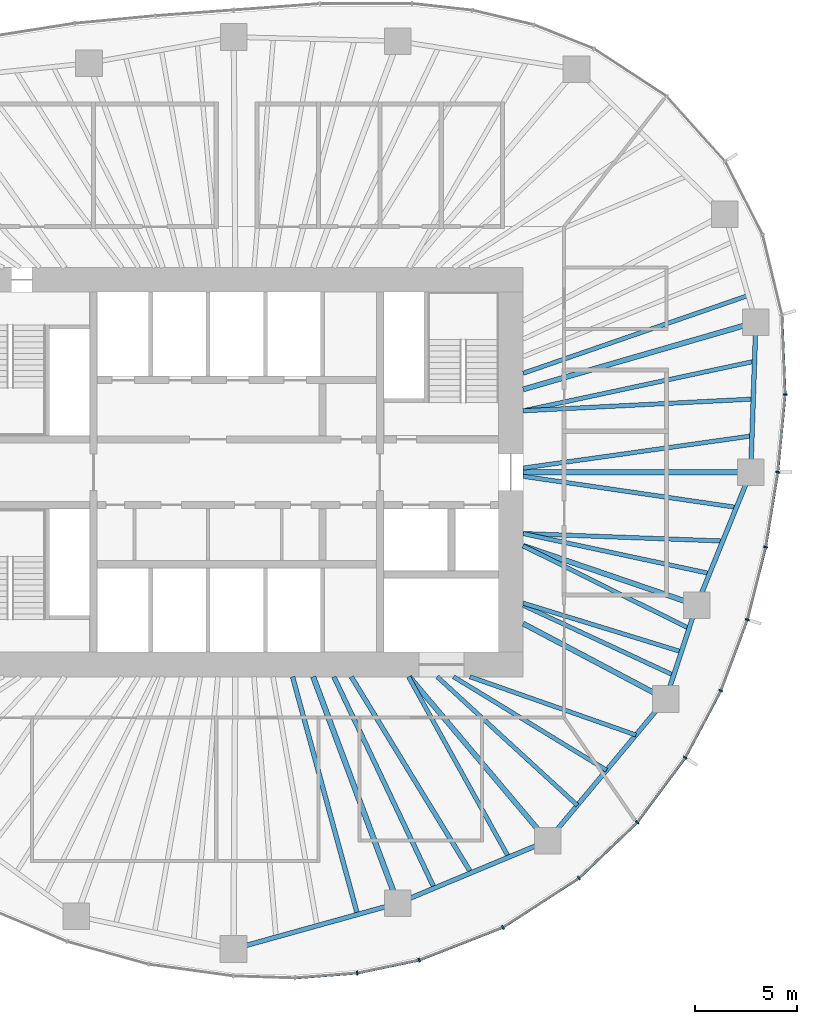
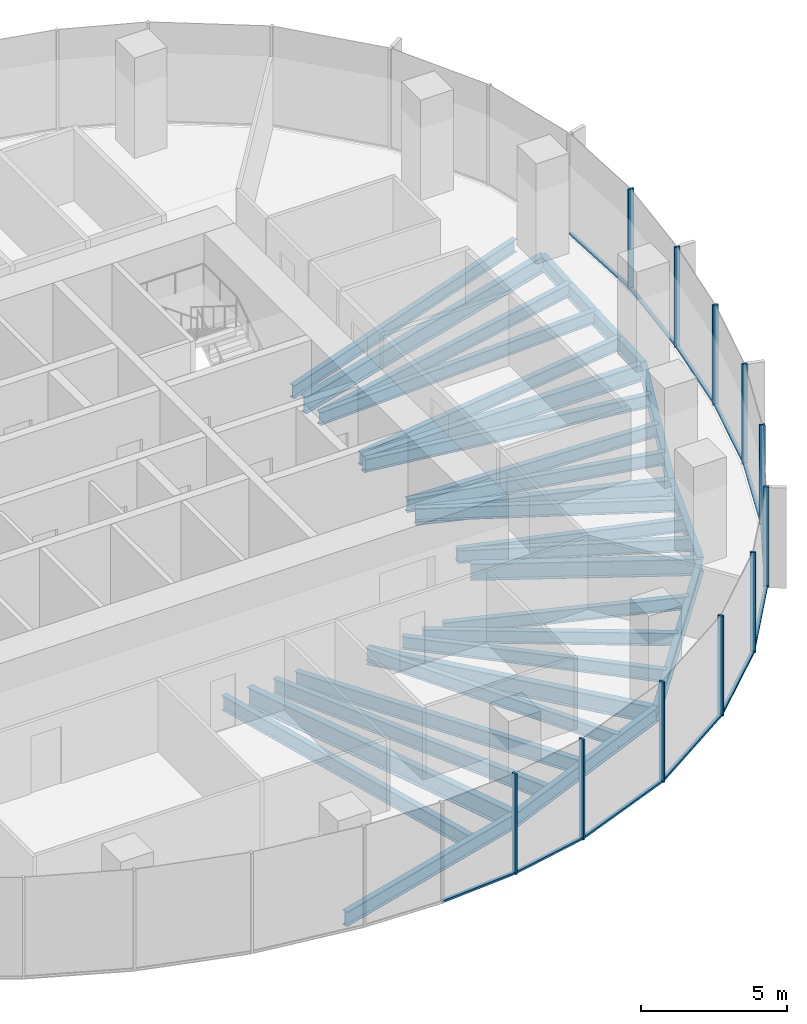
# One storey, part 4 of 11: 29 beams, 23 members, 6 elements without a shape of their own.
"""IFC4 building model written with IfcOpenShell, lengths in metres."""

from ifc_helpers import new_model, si_unit, direction, frame, origin, origin_2d, place, context, subcontext, project, spatial, rectangle, i_section, extrude, material, material_profile, profile_set, type_object, element, aggregate, save


model = new_model("IFC4")

# Units and contexts
model_context = context("Model", 3, precision=1e-05, world=origin(), true_north=direction((0.0, 1.0)))
body_context = subcontext(model_context, "Body", "Model", "MODEL_VIEW")
ifc_project = project(units=[si_unit("LENGTHUNIT", "METRE"), si_unit("AREAUNIT", "SQUARE_METRE"), si_unit("VOLUMEUNIT", "CUBIC_METRE"), si_unit("PLANEANGLEUNIT", "RADIAN"), si_unit("MASSUNIT", "GRAM", prefix="KILO")], contexts=[model_context])

# Site, building, storey
site_placement = place(None, origin())
site = spatial("IfcSite", under=ifc_project, at=site_placement, CompositionType="ELEMENT")
building_placement = place(site_placement, origin())
building = spatial("IfcBuilding", under=site, at=building_placement, Name="Ghaith Harvest Tower", CompositionType="ELEMENT")
storey_placement = place(building_placement, frame((0.0, 0.0, 215.800048828125)))
storey = spatial("IfcBuildingStorey", under=building, at=storey_placement, Name="L47", CompositionType="ELEMENT", Elevation=215.800048828125)

# Curtain wall, members
ifc_material_1 = material(Name="Black anodised aluminium and fritted glass", Category="aluminium")
curtain_wall_type = type_object("IfcCurtainWallType", Name="CW-H CURTAIN WALL", PredefinedType="NOTDEFINED", material=ifc_material_1)
curtain_wall_1_placement = place(storey_placement, origin())
curtain_wall_1 = element("IfcCurtainWall", 1, at=curtain_wall_1_placement, inside=storey, type_object=curtain_wall_type, Name="Curtain wall CW-H bay 01 L47", PredefinedType="NOTDEFINED")
ifc_material_2 = material(Name="Aluminium, black anodised", Category="aluminium")
ifc_material_profile_1 = material_profile(ifc_material_2, rectangle(XDim=0.080078125, YDim=0.199951171875, at=origin_2d()), Name="CW-H MULLION 80x200")
ifc_profile_set_1 = profile_set([ifc_material_profile_1], Name="Aluminium, black anodised")
member_type_1 = type_object("IfcMemberType", Name="CW-H MULLION 80x200", PredefinedType="MULLION", material=ifc_profile_set_1)
member_1_placement = place(storey_placement, frame((26.445068359375, 0.0, 0.0), z_axis=(0.0, 0.0, 1.0), x_axis=(0.126567624553, 0.991957981174, 0.0)))
member_1 = element("IfcMember", 2, at=member_1_placement, type_object=member_type_1, Name="CW-H mullion 1 bay 01 L47", PredefinedType="MULLION", context=body_context, shape_type="SweptSolid", body=[
    extrude(rectangle(XDim=0.080078125, YDim=0.199951171875, at=origin_2d()), origin(), (0.0, 0.0, 1.0), 4.199951171875),
])
member_2_placement = place(storey_placement, frame((26.804443359375, 3.7958984375, 0.0), z_axis=(0.0, 0.0, 1.0), x_axis=(0.026142797814, 0.999658218654, 0.0)))
member_2 = element("IfcMember", 3, at=member_2_placement, type_object=member_type_1, Name="CW-H mullion 2 bay 01 L47", PredefinedType="MULLION", context=body_context, shape_type="SweptSolid", body=[
    extrude(rectangle(XDim=0.080078125, YDim=0.199951171875, at=origin_2d()), origin(), (0.0, 0.0, 1.0), 4.199951171875),
])

# Curtain wall, member
curtain_wall_2_placement = place(storey_placement, origin())
curtain_wall_2 = element("IfcCurtainWall", 4, at=curtain_wall_2_placement, inside=storey, type_object=curtain_wall_type, Name="Curtain wall CW-H bay 16 L47", PredefinedType="NOTDEFINED")
member_3_placement = place(storey_placement, frame((5.893310546875, -24.48291015625, 0.0), z_axis=(0.0, 0.0, 1.0), x_axis=(0.989849191496, 0.142121701704, 0.0)))
member_3 = element("IfcMember", 5, at=member_3_placement, type_object=member_type_1, Name="CW-H mullion 3 bay 16 L47", PredefinedType="MULLION", context=body_context, shape_type="SweptSolid", body=[
    extrude(rectangle(XDim=0.080078125, YDim=0.199951171875, at=origin_2d()), origin(), (0.0, 0.0, 1.0), 4.199951171875),
])

# Curtain wall, members
curtain_wall_3_placement = place(storey_placement, origin())
curtain_wall_3 = element("IfcCurtainWall", 6, at=curtain_wall_3_placement, inside=storey, type_object=curtain_wall_type, Name="Curtain wall CW-H bay 17 L47", PredefinedType="NOTDEFINED")
member_4_placement = place(storey_placement, frame((8.916015625, -23.85009765625, 0.0), z_axis=(0.0, 0.0, 1.0), x_axis=(0.954029934434, 0.299711334793, 0.0)))
member_4 = element("IfcMember", 7, at=member_4_placement, type_object=member_type_1, Name="CW-H mullion 1 bay 17 L47", PredefinedType="MULLION", context=body_context, shape_type="SweptSolid", body=[
    extrude(rectangle(XDim=0.080078125, YDim=0.199951171875, at=origin_2d()), origin(), (0.0, 0.0, 1.0), 4.199951171875),
])
member_5_placement = place(storey_placement, frame((13.010009765625, -22.2470703125, 0.0), z_axis=(0.0, 0.0, 1.0), x_axis=(0.889568363425, 0.456802065225, 0.0)))
member_5 = element("IfcMember", 8, at=member_5_placement, type_object=member_type_1, Name="CW-H mullion 2 bay 17 L47", PredefinedType="MULLION", context=body_context, shape_type="SweptSolid", body=[
    extrude(rectangle(XDim=0.080078125, YDim=0.199951171875, at=origin_2d()), origin(), (0.0, 0.0, 1.0), 4.199951171875),
])

curtain_wall_4_placement = place(storey_placement, origin())
curtain_wall_4 = element("IfcCurtainWall", 9, at=curtain_wall_4_placement, inside=storey, type_object=curtain_wall_type, Name="Curtain wall CW-H bay 18 L47", PredefinedType="NOTDEFINED")
member_6_placement = place(storey_placement, frame((16.72900390625, -19.838134765625, 0.0), z_axis=(0.0, 0.0, 1.0), x_axis=(0.78784554071, 0.615872879727, 0.0)))
member_6 = element("IfcMember", 10, at=member_6_placement, type_object=member_type_1, Name="CW-H mullion 1 bay 18 L47", PredefinedType="MULLION", context=body_context, shape_type="SweptSolid", body=[
    extrude(rectangle(XDim=0.080078125, YDim=0.199951171875, at=origin_2d()), origin(), (0.0, 0.0, 1.0), 4.199951171875),
])
member_7_placement = place(storey_placement, frame((19.57421875, -17.11572265625, 0.0), z_axis=(0.0, 0.0, 1.0), x_axis=(0.661614965695, 0.749843741835, 0.0)))
member_7 = element("IfcMember", 11, at=member_7_placement, type_object=member_type_1, Name="CW-H mullion 2 bay 18 L47", PredefinedType="MULLION", context=body_context, shape_type="SweptSolid", body=[
    extrude(rectangle(XDim=0.080078125, YDim=0.199951171875, at=origin_2d()), origin(), (0.0, 0.0, 1.0), 4.199951171875),
])

curtain_wall_5_placement = place(storey_placement, origin())
curtain_wall_5 = element("IfcCurtainWall", 12, at=curtain_wall_5_placement, inside=storey, type_object=curtain_wall_type, Name="Curtain wall CW-H bay 19 L47", PredefinedType="NOTDEFINED")
member_8_placement = place(storey_placement, frame((21.922607421875, -13.951904296875, 0.0), z_axis=(0.0, 0.0, 1.0), x_axis=(0.535827198032, 0.844327669717, 0.0)))
member_8 = element("IfcMember", 13, at=member_8_placement, type_object=member_type_1, Name="CW-H mullion 1 bay 19 L47", PredefinedType="MULLION", context=body_context, shape_type="SweptSolid", body=[
    extrude(rectangle(XDim=0.080078125, YDim=0.199951171875, at=origin_2d()), origin(), (0.0, 0.0, 1.0), 4.199951171875),
])
member_9_placement = place(storey_placement, frame((23.658203125, -10.680419921875, 0.0), z_axis=(0.0, 0.0, 1.0), x_axis=(0.410429862351, 0.911892169114, 0.0)))
member_9 = element("IfcMember", 14, at=member_9_placement, type_object=member_type_1, Name="CW-H mullion 2 bay 19 L47", PredefinedType="MULLION", context=body_context, shape_type="SweptSolid", body=[
    extrude(rectangle(XDim=0.080078125, YDim=0.199951171875, at=origin_2d()), origin(), (0.0, 0.0, 1.0), 4.199951171875),
])

curtain_wall_6_placement = place(storey_placement, origin())
curtain_wall_6 = element("IfcCurtainWall", 15, at=curtain_wall_6_placement, inside=storey, type_object=curtain_wall_type, Name="Curtain wall CW-H bay 20 L47", PredefinedType="NOTDEFINED")
member_10_placement = place(storey_placement, frame((24.955810546875, -7.212890625, 0.0), z_axis=(0.0, 0.0, 1.0), x_axis=(0.298441625478, 0.954427889462, 0.0)))
member_10 = element("IfcMember", 16, at=member_10_placement, type_object=member_type_1, Name="CW-H mullion 1 bay 20 L47", PredefinedType="MULLION", context=body_context, shape_type="SweptSolid", body=[
    extrude(rectangle(XDim=0.080078125, YDim=0.199951171875, at=origin_2d()), origin(), (0.0, 0.0, 1.0), 4.199951171875),
])
member_11_placement = place(storey_placement, frame((25.85302734375, -3.6611328125, 0.0), z_axis=(0.0, 0.0, 1.0), x_axis=(0.202192370647, 0.979345825157, 0.0)))
member_11 = element("IfcMember", 17, at=member_11_placement, type_object=member_type_1, Name="CW-H mullion 2 bay 20 L47", PredefinedType="MULLION", context=body_context, shape_type="SweptSolid", body=[
    extrude(rectangle(XDim=0.080078125, YDim=0.199951171875, at=origin_2d()), origin(), (0.0, 0.0, 1.0), 4.199951171875),
])

# Member
ifc_material_3 = material(Name="Aluminium, black anodised", Category="aluminium")
ifc_material_profile_2 = material_profile(ifc_material_3, rectangle(XDim=0.1298828125, YDim=0.080078125, at=origin_2d()), Name="CW-H TRANSOM 130x80")
ifc_profile_set_2 = profile_set([ifc_material_profile_2], Name="Aluminium, black anodised")
member_type_2 = type_object("IfcMemberType", Name="CW-H TRANSOM 130x80", PredefinedType="USERDEFINED", material=ifc_profile_set_2)
member_12_placement = place(storey_placement, frame((26.44873046875, 0.039794921875, 0.0400390625), z_axis=(0.094309089207, 0.995542965267, 0.0), x_axis=(-0.995542965267, 0.094309089207, 0.0)))
member_12 = element("IfcMember", 18, at=member_12_placement, type_object=member_type_2, Name="CW-H transom 1 bay 01 L47", ObjectType="TRANSOM", PredefinedType="USERDEFINED", context=body_context, shape_type="SweptSolid", body=[
    extrude(rectangle(XDim=0.1298828125, YDim=0.080078125, at=origin_2d()), origin(), (0.0, 0.0, 1.0), 3.73291015625),
])

member_13_placement = place(storey_placement, frame((26.802978515625, 3.8359375, 0.0400390625), z_axis=(-0.040492641284, 0.999179836667, 0.0), x_axis=(-0.999179836667, -0.040492641284, 0.0)))
member_13 = element("IfcMember", 19, at=member_13_placement, type_object=member_type_2, Name="CW-H transom 2 bay 01 L47", ObjectType="TRANSOM", PredefinedType="USERDEFINED", context=body_context, shape_type="SweptSolid", body=[
    extrude(rectangle(XDim=0.1298828125, YDim=0.080078125, at=origin_2d()), origin(), (0.0, 0.0, 1.0), 3.82861328125),
])

aggregate(curtain_wall_1, [member_1, member_12, member_2, member_13])

member_14_placement = place(storey_placement, frame((2.8876953125, -24.71826171875, 0.0400390625), z_axis=(0.996949781933, 0.078045706505, 0.0), x_axis=(-0.078045706505, 0.996949781933, 0.0)))
member_14 = element("IfcMember", 20, at=member_14_placement, type_object=member_type_2, Name="CW-H transom 2 bay 16 L47", ObjectType="TRANSOM", PredefinedType="USERDEFINED", context=body_context, shape_type="SweptSolid", body=[
    extrude(rectangle(XDim=0.1298828125, YDim=0.080078125, at=origin_2d()), origin(), (0.0, 0.0, 1.0), 2.974853515625),
])

member_15_placement = place(storey_placement, frame((5.932373046875, -24.474609375, 0.0400390625), z_axis=(0.978797058213, 0.204832416461, 0.0), x_axis=(-0.204832416461, 0.978797058213, 0.0)))
member_15 = element("IfcMember", 21, at=member_15_placement, type_object=member_type_2, Name="CW-H transom 3 bay 16 L47", ObjectType="TRANSOM", PredefinedType="USERDEFINED", context=body_context, shape_type="SweptSolid", body=[
    extrude(rectangle(XDim=0.1298828125, YDim=0.080078125, at=origin_2d()), origin(), (0.0, 0.0, 1.0), 3.00830078125),
])

aggregate(curtain_wall_2, [member_14, member_3, member_15])

member_16_placement = place(storey_placement, frame((8.953369140625, -23.835693359375, 0.0400390625), z_axis=(0.931147615871, 0.364642451529, 0.0), x_axis=(-0.364642451529, 0.931147615871, 0.0)))
member_16 = element("IfcMember", 22, at=member_16_placement, type_object=member_type_2, Name="CW-H transom 1 bay 17 L47", ObjectType="TRANSOM", PredefinedType="USERDEFINED", context=body_context, shape_type="SweptSolid", body=[
    extrude(rectangle(XDim=0.1298828125, YDim=0.080078125, at=origin_2d()), origin(), (0.0, 0.0, 1.0), 4.31640625),
])

member_17_placement = place(storey_placement, frame((13.04345703125, -22.225341796875, 0.0400390625), z_axis=(0.839306610985, 0.543658360331, 0.0), x_axis=(-0.543658360331, 0.839306610985, 0.0)))
member_17 = element("IfcMember", 23, at=member_17_placement, type_object=member_type_2, Name="CW-H transom 2 bay 17 L47", ObjectType="TRANSOM", PredefinedType="USERDEFINED", context=body_context, shape_type="SweptSolid", body=[
    extrude(rectangle(XDim=0.1298828125, YDim=0.080078125, at=origin_2d()), origin(), (0.0, 0.0, 1.0), 4.35107421875),
])

aggregate(curtain_wall_3, [member_4, member_16, member_5, member_17])

member_18_placement = place(storey_placement, frame((16.7578125, -19.810546875, 0.0400390625), z_axis=(0.722533278657, 0.691336141998, 0.0), x_axis=(-0.691336141998, 0.722533278657, 0.0)))
member_18 = element("IfcMember", 24, at=member_18_placement, type_object=member_type_2, Name="CW-H transom 1 bay 18 L47", ObjectType="TRANSOM", PredefinedType="USERDEFINED", context=body_context, shape_type="SweptSolid", body=[
    extrude(rectangle(XDim=0.1298828125, YDim=0.080078125, at=origin_2d()), origin(), (0.0, 0.0, 1.0), 3.858154296875),
])

member_19_placement = place(storey_placement, frame((19.59814453125, -17.083740234375, 0.0400390625), z_axis=(0.595995597074, 0.802987701194, 0.0), x_axis=(-0.802987701194, 0.595995597074, 0.0)))
member_19 = element("IfcMember", 25, at=member_19_placement, type_object=member_type_2, Name="CW-H transom 2 bay 18 L47", ObjectType="TRANSOM", PredefinedType="USERDEFINED", context=body_context, shape_type="SweptSolid", body=[
    extrude(rectangle(XDim=0.1298828125, YDim=0.080078125, at=origin_2d()), origin(), (0.0, 0.0, 1.0), 3.8603515625),
])

aggregate(curtain_wall_4, [member_6, member_18, member_7, member_19])

member_20_placement = place(storey_placement, frame((21.94140625, -13.91650390625, 0.0400390625), z_axis=(0.468646057757, 0.883386026915, 0.0), x_axis=(-0.883386026915, 0.468646057757, 0.0)))
member_20 = element("IfcMember", 26, at=member_20_placement, type_object=member_type_2, Name="CW-H transom 1 bay 19 L47", ObjectType="TRANSOM", PredefinedType="USERDEFINED", context=body_context, shape_type="SweptSolid", body=[
    extrude(rectangle(XDim=0.1298828125, YDim=0.080078125, at=origin_2d()), origin(), (0.0, 0.0, 1.0), 3.623291015625),
])

member_21_placement = place(storey_placement, frame((23.672119140625, -10.64306640625, 0.0400390625), z_axis=(0.350510368091, 0.936558851253, 0.0), x_axis=(-0.936558851253, 0.350510368091, 0.0)))
member_21 = element("IfcMember", 27, at=member_21_placement, type_object=member_type_2, Name="CW-H transom 2 bay 19 L47", ObjectType="TRANSOM", PredefinedType="USERDEFINED", context=body_context, shape_type="SweptSolid", body=[
    extrude(rectangle(XDim=0.1298828125, YDim=0.080078125, at=origin_2d()), origin(), (0.0, 0.0, 1.0), 3.62255859375),
])

aggregate(curtain_wall_5, [member_8, member_20, member_9, member_21])

member_22_placement = place(storey_placement, frame((24.965576171875, -7.174072265625, 0.0400390625), z_axis=(0.244939588347, 0.969538342749, 0.0), x_axis=(-0.969538342749, 0.244939588347, 0.0)))
member_22 = element("IfcMember", 28, at=member_22_placement, type_object=member_type_2, Name="CW-H transom 1 bay 20 L47", ObjectType="TRANSOM", PredefinedType="USERDEFINED", context=body_context, shape_type="SweptSolid", body=[
    extrude(rectangle(XDim=0.1298828125, YDim=0.080078125, at=origin_2d()), origin(), (0.0, 0.0, 1.0), 3.583251953125),
])

member_23_placement = place(storey_placement, frame((25.859375, -3.62158203125, 0.0400390625), z_axis=(0.159661845696, 0.987171765717, 0.0), x_axis=(-0.987171765717, 0.159661845696, 0.0)))
member_23 = element("IfcMember", 29, at=member_23_placement, type_object=member_type_2, Name="CW-H transom 2 bay 20 L47", ObjectType="TRANSOM", PredefinedType="USERDEFINED", context=body_context, shape_type="SweptSolid", body=[
    extrude(rectangle(XDim=0.1298828125, YDim=0.080078125, at=origin_2d()), origin(), (0.0, 0.0, 1.0), 3.628662109375),
])

aggregate(curtain_wall_6, [member_10, member_22, member_11, member_23])

# Beams
ifc_material_4 = material(Name="Steel ASTM A992 Grade 50", Category="steel")
ifc_material_profile_3 = material_profile(ifc_material_4, i_section(OverallWidth=0.22900390625, OverallDepth=0.612060546875, WebThickness=0.011962890625, FlangeThickness=0.01953125, at=origin_2d()), Name="W610X125")
ifc_profile_set_3 = profile_set([ifc_material_profile_3], Name="Steel ASTM A992 Grade 50")
beam_type_1 = type_object("IfcBeamType", Name="E610-125 W610X125", PredefinedType="SPANDREL", material=ifc_profile_set_3)
beam_1_placement = place(storey_placement, frame((25.125, 0.0, -0.47607421875), z_axis=(0.03446227584, 0.999405999354, 0.0), x_axis=(-0.999405999354, 0.03446227584, 0.0)))
element("IfcBeam", 30, at=beam_1_placement, inside=storey, type_object=beam_type_1, Name="Edge beam E01 L47", PredefinedType="SPANDREL", context=body_context, shape_type="SweptSolid", body=[
    extrude(i_section(OverallWidth=0.22900390625, OverallDepth=0.612060546875, WebThickness=0.011962890625, FlangeThickness=0.01953125, at=origin_2d()), origin(), (0.0, 0.0, 1.0), 7.33935546875),
])
beam_2_placement = place(storey_placement, frame((-0.158935546875, -23.304931640625, -0.47607421875), z_axis=(0.963504070594, 0.267693679323, 0.0), x_axis=(-0.267693679323, 0.963504070594, 0.0)))
element("IfcBeam", 31, at=beam_2_placement, inside=storey, type_object=beam_type_1, Name="Edge beam E16 L47", PredefinedType="SPANDREL", context=body_context, shape_type="SweptSolid", body=[
    extrude(i_section(OverallWidth=0.22900390625, OverallDepth=0.612060546875, WebThickness=0.011962890625, FlangeThickness=0.01953125, at=origin_2d()), origin(), (0.0, 0.0, 1.0), 8.34130859375),
])
beam_3_placement = place(storey_placement, frame((7.8779296875, -21.072021484375, -0.47607421875), z_axis=(0.923119729219, 0.384512633766, 0.0), x_axis=(-0.384512633766, 0.923119729219, 0.0)))
element("IfcBeam", 32, at=beam_3_placement, inside=storey, type_object=beam_type_1, Name="Edge beam E17 L47", PredefinedType="SPANDREL", context=body_context, shape_type="SweptSolid", body=[
    extrude(i_section(OverallWidth=0.22900390625, OverallDepth=0.612060546875, WebThickness=0.011962890625, FlangeThickness=0.01953125, at=origin_2d()), origin(), (0.0, 0.0, 1.0), 7.9296875),
])
beam_4_placement = place(storey_placement, frame((15.197998046875, -18.02294921875, -0.47607421875), z_axis=(0.640173759088, 0.76823014662, 0.0), x_axis=(-0.76823014662, 0.640173759088, 0.0)))
element("IfcBeam", 33, at=beam_4_placement, inside=storey, type_object=beam_type_1, Name="Edge beam E18 L47", PredefinedType="SPANDREL", context=body_context, shape_type="SweptSolid", body=[
    extrude(i_section(OverallWidth=0.22900390625, OverallDepth=0.612060546875, WebThickness=0.011962890625, FlangeThickness=0.01953125, at=origin_2d()), origin(), (0.0, 0.0, 1.0), 9.02734375),
])
beam_5_placement = place(storey_placement, frame((20.97705078125, -11.087890625, -0.47607421875), z_axis=(0.312206727278, 0.950014189074, 0.0), x_axis=(-0.950014189074, 0.312206727278, 0.0)))
element("IfcBeam", 34, at=beam_5_placement, inside=storey, type_object=beam_type_1, Name="Edge beam E19 L47", PredefinedType="SPANDREL", context=body_context, shape_type="SweptSolid", body=[
    extrude(i_section(OverallWidth=0.22900390625, OverallDepth=0.612060546875, WebThickness=0.011962890625, FlangeThickness=0.01953125, at=origin_2d()), origin(), (0.0, 0.0, 1.0), 4.830322265625),
])
beam_6_placement = place(storey_placement, frame((22.485107421875, -6.4990234375, -0.47607421875), z_axis=(0.376335970246, 0.926483263475, 0.0), x_axis=(-0.926483263475, 0.376335970246, 0.0)))
element("IfcBeam", 35, at=beam_6_placement, inside=storey, type_object=beam_type_1, Name="Edge beam E20 L47", PredefinedType="SPANDREL", context=body_context, shape_type="SweptSolid", body=[
    extrude(i_section(OverallWidth=0.22900390625, OverallDepth=0.612060546875, WebThickness=0.011962890625, FlangeThickness=0.01953125, at=origin_2d()), origin(), (0.0, 0.0, 1.0), 7.0146484375),
])
ifc_material_5 = material(Name="Steel ASTM A992 Grade 50", Category="steel")
ifc_material_profile_4 = material_profile(ifc_material_5, i_section(OverallWidth=0.256103515625, OverallDepth=0.693115234375, WebThickness=0.014404296875, FlangeThickness=0.023681640625, at=origin_2d()), Name="W690X170")
ifc_profile_set_4 = profile_set([ifc_material_profile_4], Name="Steel ASTM A992 Grade 50")
beam_type_2 = type_object("IfcBeamType", Name="G690-170 W690X170", PredefinedType="BEAM", material=ifc_profile_set_4)
beam_7_placement = place(storey_placement, frame((14.0, 0.0, -0.5166015625), z_axis=(1.0, 0.0, 0.0), x_axis=(0.0, 1.0, 0.0)))
element("IfcBeam", 36, at=beam_7_placement, inside=storey, type_object=beam_type_2, Name="Radial girder G01 L47", PredefinedType="BEAM", context=body_context, shape_type="SweptSolid", body=[
    extrude(i_section(OverallWidth=0.256103515625, OverallDepth=0.693115234375, WebThickness=0.014404296875, FlangeThickness=0.023681640625, at=origin_2d()), origin(), (0.0, 0.0, 1.0), 11.125),
])
beam_8_placement = place(storey_placement, frame((14.0, 4.04638671875, -0.5166015625), z_axis=(0.960677776578, 0.277665643518, 0.0), x_axis=(-0.277665643518, 0.960677776578, 0.0)))
element("IfcBeam", 37, at=beam_8_placement, inside=storey, type_object=beam_type_2, Name="Radial girder G02 L47", PredefinedType="BEAM", context=body_context, shape_type="SweptSolid", body=[
    extrude(i_section(OverallWidth=0.256103515625, OverallDepth=0.693115234375, WebThickness=0.014404296875, FlangeThickness=0.023681640625, at=origin_2d()), origin(), (0.0, 0.0, 1.0), 11.84375),
])
beam_9_placement = place(storey_placement, frame((8.4326171875, -10.0, -0.5166015625), z_axis=(0.644649240595, -0.764478486682, 0.0), x_axis=(0.764478486682, 0.644649240595, 0.0)))
element("IfcBeam", 38, at=beam_9_placement, inside=storey, type_object=beam_type_2, Name="Radial girder G18 L47", PredefinedType="BEAM", context=body_context, shape_type="SweptSolid", body=[
    extrude(i_section(OverallWidth=0.256103515625, OverallDepth=0.693115234375, WebThickness=0.014404296875, FlangeThickness=0.023681640625, at=origin_2d()), origin(), (0.0, 0.0, 1.0), 10.49462890625),
])
beam_10_placement = place(storey_placement, frame((14.0, -7.39990234375, -0.5166015625), z_axis=(0.884088732293, -0.467319070264, 0.0), x_axis=(0.467319070264, 0.884088732293, 0.0)))
element("IfcBeam", 39, at=beam_10_placement, inside=storey, type_object=beam_type_2, Name="Radial girder G19 L47", PredefinedType="BEAM", context=body_context, shape_type="SweptSolid", body=[
    extrude(i_section(OverallWidth=0.256103515625, OverallDepth=0.693115234375, WebThickness=0.014404296875, FlangeThickness=0.023681640625, at=origin_2d()), origin(), (0.0, 0.0, 1.0), 7.891845703125),
])
beam_11_placement = place(storey_placement, frame((14.0, -3.60009765625, -0.5166015625), z_axis=(0.94629622913, -0.323300861018, 0.0), x_axis=(0.323300861018, 0.94629622913, 0.0)))
element("IfcBeam", 40, at=beam_11_placement, inside=storey, type_object=beam_type_2, Name="Radial girder G20 L47", PredefinedType="BEAM", context=body_context, shape_type="SweptSolid", body=[
    extrude(i_section(OverallWidth=0.256103515625, OverallDepth=0.693115234375, WebThickness=0.014404296875, FlangeThickness=0.023681640625, at=origin_2d()), origin(), (0.0, 0.0, 1.0), 8.966552734375),
])
ifc_material_6 = material(Name="Steel ASTM A992 Grade 50", Category="steel")
ifc_material_profile_5 = material_profile(ifc_material_6, i_section(OverallWidth=0.26806640625, OverallDepth=0.77001953125, WebThickness=0.015625, FlangeThickness=0.025390625, at=origin_2d()), Name="W760X196")
ifc_profile_set_5 = profile_set([ifc_material_profile_5], Name="Steel ASTM A992 Grade 50")
beam_type_3 = type_object("IfcBeamType", Name="G760-196 W760X196", PredefinedType="BEAM", material=ifc_profile_set_5)
beam_12_placement = place(storey_placement, frame((3.73828125, -10.0, -0.554931640625), z_axis=(0.350206582147, -0.936672488024, 0.0), x_axis=(0.936672488024, 0.350206582147, 0.0)))
element("IfcBeam", 41, at=beam_12_placement, inside=storey, type_object=beam_type_3, Name="Radial girder G17 L47", PredefinedType="BEAM", context=body_context, shape_type="SweptSolid", body=[
    extrude(i_section(OverallWidth=0.26806640625, OverallDepth=0.77001953125, WebThickness=0.015625, FlangeThickness=0.025390625, at=origin_2d()), origin(), (0.0, 0.0, 1.0), 11.820556640625),
])
ifc_material_7 = material(Name="Steel ASTM A992 Grade 50", Category="steel")
ifc_material_profile_6 = material_profile(ifc_material_7, i_section(OverallWidth=0.2109375, OverallDepth=0.5390625, WebThickness=0.01171875, FlangeThickness=0.018798828125, at=origin_2d()), Name="W530X109")
ifc_profile_set_6 = profile_set([ifc_material_profile_6], Name="Steel ASTM A992 Grade 50")
beam_type_4 = type_object("IfcBeamType", Name="J530-109 W530X109", PredefinedType="JOIST", material=ifc_profile_set_6)
beam_13_placement = place(storey_placement, frame((14.0, 0.199951171875, -0.439453125), z_axis=(0.990239574724, 0.139375696052, 0.0), x_axis=(-0.139375696052, 0.990239574724, 0.0)))
element("IfcBeam", 42, at=beam_13_placement, inside=storey, type_object=beam_type_4, Name="Joist J01.1 L47", PredefinedType="JOIST", context=body_context, shape_type="SweptSolid", body=[
    extrude(i_section(OverallWidth=0.2109375, OverallDepth=0.5390625, WebThickness=0.01171875, FlangeThickness=0.018798828125, at=origin_2d()), origin(), (0.0, 0.0, 1.0), 11.296630859375),
])
beam_14_placement = place(storey_placement, frame((14.0, 3.0, -0.439453125), z_axis=(0.998693995267, 0.051091132482, 0.0), x_axis=(-0.051091132482, 0.998693995267, 0.0)))
element("IfcBeam", 43, at=beam_14_placement, inside=storey, type_object=beam_type_4, Name="Joist J01.2 L47", PredefinedType="JOIST", context=body_context, shape_type="SweptSolid", body=[
    extrude(i_section(OverallWidth=0.2109375, OverallDepth=0.5390625, WebThickness=0.01171875, FlangeThickness=0.018798828125, at=origin_2d()), origin(), (0.0, 0.0, 1.0), 11.262939453125),
])
beam_15_placement = place(storey_placement, frame((14.0, 3.0, -0.439453125), z_axis=(0.977840076912, 0.209353251672, 0.0), x_axis=(-0.209353251672, 0.977840076912, 0.0)))
element("IfcBeam", 44, at=beam_15_placement, inside=storey, type_object=beam_type_4, Name="Joist J01.3 L47", PredefinedType="JOIST", context=body_context, shape_type="SweptSolid", body=[
    extrude(i_section(OverallWidth=0.2109375, OverallDepth=0.5390625, WebThickness=0.01171875, FlangeThickness=0.018798828125, at=origin_2d()), origin(), (0.0, 0.0, 1.0), 11.568359375),
])
beam_16_placement = place(storey_placement, frame((14.0, 4.835693359375, -0.439453125), z_axis=(0.945202328042, 0.326485159025, 0.0), x_axis=(-0.326485159025, 0.945202328042, 0.0)))
element("IfcBeam", 45, at=beam_16_placement, inside=storey, type_object=beam_type_4, Name="Joist J02.1 L47", PredefinedType="JOIST", context=body_context, shape_type="SweptSolid", body=[
    extrude(i_section(OverallWidth=0.2109375, OverallDepth=0.5390625, WebThickness=0.01171875, FlangeThickness=0.018798828125, at=origin_2d()), origin(), (0.0, 0.0, 1.0), 11.63916015625),
])
beam_17_placement = place(storey_placement, frame((8.39990234375, -10.0, -0.439453125), z_axis=(0.484919107871, -0.874559008199, 0.0), x_axis=(0.874559008199, 0.484919107871, 0.0)))
element("IfcBeam", 46, at=beam_17_placement, inside=storey, type_object=beam_type_4, Name="Joist J17.3 L47", PredefinedType="JOIST", context=body_context, shape_type="SweptSolid", body=[
    extrude(i_section(OverallWidth=0.2109375, OverallDepth=0.5390625, WebThickness=0.01171875, FlangeThickness=0.018798828125, at=origin_2d()), origin(), (0.0, 0.0, 1.0), 10.0830078125),
])
beam_18_placement = place(storey_placement, frame((9.800048828125, -10.0, -0.439453125), z_axis=(0.736998187228, -0.675894719629, 0.0), x_axis=(0.675894719629, 0.736998187228, 0.0)))
element("IfcBeam", 47, at=beam_18_placement, inside=storey, type_object=beam_type_4, Name="Joist J18.1 L47", PredefinedType="JOIST", context=body_context, shape_type="SweptSolid", body=[
    extrude(i_section(OverallWidth=0.2109375, OverallDepth=0.5390625, WebThickness=0.01171875, FlangeThickness=0.018798828125, at=origin_2d()), origin(), (0.0, 0.0, 1.0), 9.293701171875),
])
beam_19_placement = place(storey_placement, frame((14.0, -3.0, -0.439453125), z_axis=(0.977841497168, -0.209346617877, 0.0), x_axis=(0.209346617877, 0.977841497168, 0.0)))
element("IfcBeam", 48, at=beam_19_placement, inside=storey, type_object=beam_type_4, Name="Joist J20.1 L47", PredefinedType="JOIST", context=body_context, shape_type="SweptSolid", body=[
    extrude(i_section(OverallWidth=0.2109375, OverallDepth=0.5390625, WebThickness=0.01171875, FlangeThickness=0.018798828125, at=origin_2d()), origin(), (0.0, 0.0, 1.0), 9.3203125),
])
beam_20_placement = place(storey_placement, frame((14.0, -3.0, -0.439453125), z_axis=(0.999303105315, -0.037326983644, 0.0), x_axis=(0.037326983644, 0.999303105315, 0.0)))
element("IfcBeam", 49, at=beam_20_placement, inside=storey, type_object=beam_type_4, Name="Joist J20.2 L47", PredefinedType="JOIST", context=body_context, shape_type="SweptSolid", body=[
    extrude(i_section(OverallWidth=0.2109375, OverallDepth=0.5390625, WebThickness=0.01171875, FlangeThickness=0.018798828125, at=origin_2d()), origin(), (0.0, 0.0, 1.0), 9.76513671875),
])
beam_21_placement = place(storey_placement, frame((14.0, -0.199951171875, -0.439453125), z_axis=(0.989525259022, -0.144359834294, 0.0), x_axis=(0.144359834294, 0.989525259022, 0.0)))
element("IfcBeam", 50, at=beam_21_placement, inside=storey, type_object=beam_type_4, Name="Joist J20.3 L47", PredefinedType="JOIST", context=body_context, shape_type="SweptSolid", body=[
    extrude(i_section(OverallWidth=0.2109375, OverallDepth=0.5390625, WebThickness=0.01171875, FlangeThickness=0.018798828125, at=origin_2d()), origin(), (0.0, 0.0, 1.0), 10.5361328125),
])
ifc_material_8 = material(Name="Steel ASTM A992 Grade 50", Category="steel")
ifc_material_profile_7 = material_profile(ifc_material_8, i_section(OverallWidth=0.208984375, OverallDepth=0.532958984375, WebThickness=0.01025390625, FlangeThickness=0.015625, at=origin_2d()), Name="W530X92")
ifc_profile_set_7 = profile_set([ifc_material_profile_7], Name="Steel ASTM A992 Grade 50")
beam_type_5 = type_object("IfcBeamType", Name="J530-92 W530X92", PredefinedType="JOIST", material=ifc_profile_set_7)
beam_22_placement = place(storey_placement, frame((10.60009765625, -10.0, -0.4365234375), z_axis=(0.853467052113, -0.521146803654, 0.0), x_axis=(0.521146803654, 0.853467052113, 0.0)))
element("IfcBeam", 51, at=beam_22_placement, inside=storey, type_object=beam_type_5, Name="Joist J18.2 L47", PredefinedType="JOIST", context=body_context, shape_type="SweptSolid", body=[
    extrude(i_section(OverallWidth=0.208984375, OverallDepth=0.532958984375, WebThickness=0.01025390625, FlangeThickness=0.015625, at=origin_2d()), origin(), (0.0, 0.0, 1.0), 8.76220703125),
])
beam_23_placement = place(storey_placement, frame((11.39990234375, -10.0, -0.4365234375), z_axis=(0.943605274188, -0.331072630285, 0.0), x_axis=(0.331072630285, 0.943605274188, 0.0)))
element("IfcBeam", 52, at=beam_23_placement, inside=storey, type_object=beam_type_5, Name="Joist J18.3 L47", PredefinedType="JOIST", context=body_context, shape_type="SweptSolid", body=[
    extrude(i_section(OverallWidth=0.208984375, OverallDepth=0.532958984375, WebThickness=0.01025390625, FlangeThickness=0.015625, at=origin_2d()), origin(), (0.0, 0.0, 1.0), 8.596923828125),
])
beam_24_placement = place(storey_placement, frame((14.0, -6.506103515625, -0.4365234375), z_axis=(0.906865270415, -0.421420670251, 0.0), x_axis=(0.421420670251, 0.906865270415, 0.0)))
element("IfcBeam", 53, at=beam_24_placement, inside=storey, type_object=beam_type_5, Name="Joist J19.1 L47", PredefinedType="JOIST", context=body_context, shape_type="SweptSolid", body=[
    extrude(i_section(OverallWidth=0.208984375, OverallDepth=0.532958984375, WebThickness=0.01025390625, FlangeThickness=0.015625, at=origin_2d()), origin(), (0.0, 0.0, 1.0), 8.11474609375),
])
beam_25_placement = place(storey_placement, frame((14.0, -6.39990234375, -0.4365234375), z_axis=(0.955870927609, -0.293786946192, 0.0), x_axis=(0.293786946192, 0.955870927609, 0.0)))
element("IfcBeam", 54, at=beam_25_placement, inside=storey, type_object=beam_type_5, Name="Joist J19.2 L47", PredefinedType="JOIST", context=body_context, shape_type="SweptSolid", body=[
    extrude(i_section(OverallWidth=0.208984375, OverallDepth=0.532958984375, WebThickness=0.01025390625, FlangeThickness=0.015625, at=origin_2d()), origin(), (0.0, 0.0, 1.0), 8.09326171875),
])
beam_26_placement = place(storey_placement, frame((14.0, -3.60009765625, -0.4365234375), z_axis=(0.89523949078, -0.445585293909, 0.0), x_axis=(0.445585293909, 0.89523949078, 0.0)))
element("IfcBeam", 55, at=beam_26_placement, inside=storey, type_object=beam_type_5, Name="Joist J19.3 L47", PredefinedType="JOIST", context=body_context, shape_type="SweptSolid", body=[
    extrude(i_section(OverallWidth=0.208984375, OverallDepth=0.532958984375, WebThickness=0.01025390625, FlangeThickness=0.015625, at=origin_2d()), origin(), (0.0, 0.0, 1.0), 9.060302734375),
])
ifc_material_9 = material(Name="Steel ASTM A992 Grade 50", Category="steel")
ifc_material_profile_8 = material_profile(ifc_material_9, i_section(OverallWidth=0.22900390625, OverallDepth=0.612060546875, WebThickness=0.011962890625, FlangeThickness=0.01953125, at=origin_2d()), Name="W610X125")
ifc_profile_set_8 = profile_set([ifc_material_profile_8], Name="Steel ASTM A992 Grade 50")
beam_type_6 = type_object("IfcBeamType", Name="J610-125 W610X125", PredefinedType="JOIST", material=ifc_profile_set_8)
beam_27_placement = place(storey_placement, frame((2.73095703125, -10.0, -0.47607421875), z_axis=(0.263456947705, -0.964671154698, 0.0), x_axis=(0.964671154698, 0.263456947705, 0.0)))
element("IfcBeam", 56, at=beam_27_placement, inside=storey, type_object=beam_type_6, Name="Joist J16.3 L47", PredefinedType="JOIST", context=body_context, shape_type="SweptSolid", body=[
    extrude(i_section(OverallWidth=0.22900390625, OverallDepth=0.612060546875, WebThickness=0.011962890625, FlangeThickness=0.01953125, at=origin_2d()), origin(), (0.0, 0.0, 1.0), 12.0458984375),
])
beam_28_placement = place(storey_placement, frame((4.75, -10.0, -0.47607421875), z_axis=(0.429080762264, -0.90326612881, 0.0), x_axis=(0.90326612881, 0.429080762264, 0.0)))
element("IfcBeam", 57, at=beam_28_placement, inside=storey, type_object=beam_type_6, Name="Joist J17.1 L47", PredefinedType="JOIST", context=body_context, shape_type="SweptSolid", body=[
    extrude(i_section(OverallWidth=0.22900390625, OverallDepth=0.612060546875, WebThickness=0.011962890625, FlangeThickness=0.01953125, at=origin_2d()), origin(), (0.0, 0.0, 1.0), 11.437255859375),
])
beam_29_placement = place(storey_placement, frame((5.60009765625, -10.0, -0.47607421875), z_axis=(0.521165912119, -0.853455383746, 0.0), x_axis=(0.853455383746, 0.521165912119, 0.0)))
element("IfcBeam", 58, at=beam_29_placement, inside=storey, type_object=beam_type_6, Name="Joist J17.2 L47", PredefinedType="JOIST", context=body_context, shape_type="SweptSolid", body=[
    extrude(i_section(OverallWidth=0.22900390625, OverallDepth=0.612060546875, WebThickness=0.011962890625, FlangeThickness=0.01953125, at=origin_2d()), origin(), (0.0, 0.0, 1.0), 11.228759765625),
])

save(model, "model.ifc")
